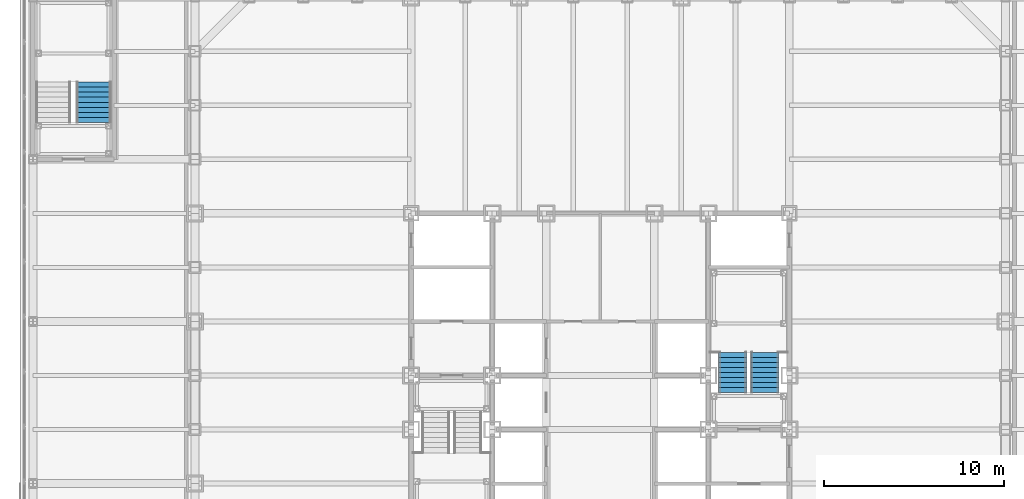
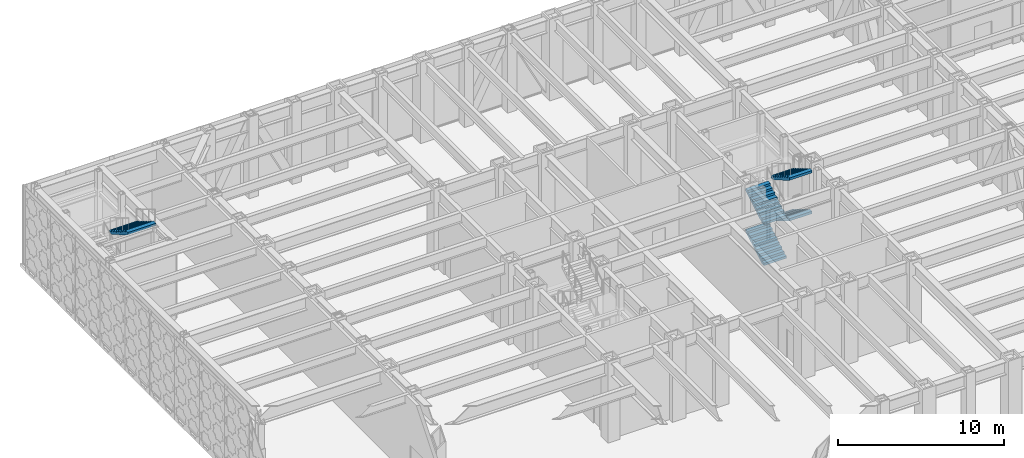
# One storey, part 21 of 32: 5 stair flights, 2 elements without a shape of their own.
"""IFC4 building model written with IfcOpenShell, lengths in metres."""

from ifc_helpers import new_model, si_unit, direction, frame, origin, place, context, subcontext, project, spatial, faceted_brep, material, type_object, element, aggregate, save


model = new_model("IFC4")

# Units and contexts
model_context = context("Model", 3, precision=1e-05, world=origin(), true_north=direction((0.0, 1.0)))
body_context = subcontext(model_context, "Body", "Model", "MODEL_VIEW")
ifc_project = project(units=[si_unit("LENGTHUNIT", "METRE"), si_unit("AREAUNIT", "SQUARE_METRE"), si_unit("VOLUMEUNIT", "CUBIC_METRE"), si_unit("PLANEANGLEUNIT", "RADIAN"), si_unit("MASSUNIT", "GRAM", prefix="KILO")], contexts=[model_context])

# Site, building, storey
site_placement = place(None, origin())
site = spatial("IfcSite", under=ifc_project, at=site_placement, CompositionType="ELEMENT")
building_placement = place(site_placement, origin())
building = spatial("IfcBuilding", under=site, at=building_placement, Name="Chuquiago Exchange Tower", CompositionType="ELEMENT")
storey_placement = place(building_placement, frame((0.0, 0.0, 13.5)))
storey = spatial("IfcBuildingStorey", under=building, at=storey_placement, Name="L02", CompositionType="ELEMENT", Elevation=13.5)

# Stair, stair flights
ifc_material_1 = material(Name="Concrete C30/37, precast", Category="concrete")
stair_type_1 = type_object("IfcStairType", Name="ST2 double half-turn stair 6000", PredefinedType="DOUBLE_RETURN_STAIR", material=ifc_material_1)
stair_1_placement = place(storey_placement, origin())
stair_1 = element("IfcStair", 1, at=stair_1_placement, inside=storey, type_object=stair_type_1, Name="Stair ST2 L02", PredefinedType="DOUBLE_RETURN_STAIR")
ifc_material_2 = material(Name="Concrete C30/37, precast", Category="concrete")
stair_flight_type_1 = type_object("IfcStairFlightType", Name="ST-F flight 1570 for 6000 storey", PredefinedType="STRAIGHT", material=ifc_material_2)
stair_flight_1_placement = place(storey_placement, frame((29.860107421875, 23.050048828125, 0.0), z_axis=(0.0, 0.0, 1.0), x_axis=(0.0, 1.0, 0.0)))
stair_flight_1 = element("IfcStairFlight", 2, at=stair_flight_1_placement, type_object=stair_flight_type_1, Name="ST2 flight 1", NumberOfRisers=9, NumberOfTreads=8, PredefinedType="STRAIGHT", RiserHeight=0.166666667, TreadLength=0.28, context=body_context, shape_type="Brep", body=[
    faceted_brep([(0.0, 0.78515625, 0.0), (0.0, 0.78515625, 0.166748046875), (0.280029296875, 0.78515625, 0.166748046875), (0.280029296875, 0.78515625, 0.333251953125), (0.56005859375, 0.78515625, 0.333251953125), (0.56005859375, 0.78515625, 0.5), (0.840087890625, 0.78515625, 0.5), (0.840087890625, 0.78515625, 0.666748046875), (1.1201171875, 0.78515625, 0.666748046875), (1.1201171875, 0.78515625, 0.833251953125), (1.39990234375, 0.78515625, 0.833251953125), (1.39990234375, 0.78515625, 1.0), (1.679931640625, 0.78515625, 1.0), (1.679931640625, 0.78515625, 1.166748046875), (1.9599609375, 0.78515625, 1.166748046875), (1.9599609375, 0.78515625, 1.333251953125), (2.239990234375, 0.78515625, 1.333251953125), (2.239990234375, 0.78515625, 1.158935546875), (0.29296875, 0.78515625, 0.0), (0.29296875, -0.78515625, 0.0), (2.239990234375, -0.78515625, 1.158935546875), (2.239990234375, -0.78515625, 1.333251953125), (1.9599609375, -0.78515625, 1.333251953125), (1.9599609375, -0.78515625, 1.166748046875), (1.679931640625, -0.78515625, 1.166748046875), (1.679931640625, -0.78515625, 1.0), (1.39990234375, -0.78515625, 1.0), (1.39990234375, -0.78515625, 0.833251953125), (1.1201171875, -0.78515625, 0.833251953125), (1.1201171875, -0.78515625, 0.666748046875), (0.840087890625, -0.78515625, 0.666748046875), (0.840087890625, -0.78515625, 0.5), (0.56005859375, -0.78515625, 0.5), (0.56005859375, -0.78515625, 0.333251953125), (0.280029296875, -0.78515625, 0.333251953125), (0.280029296875, -0.78515625, 0.166748046875), (0.0, -0.78515625, 0.166748046875), (0.0, -0.78515625, 0.0), (0.0, 0.392578125, 0.0), (0.0, 0.392578125, 0.166748046875), (0.0, 0.0, 0.0), (0.0, 0.0, 0.166748046875), (0.0, -0.392578125, 0.0), (0.0, -0.392578125, 0.166748046875), (0.280029296875, 0.392578125, 0.166748046875), (0.280029296875, 0.0, 0.166748046875), (0.280029296875, -0.392578125, 0.166748046875), (0.280029296875, 0.392578125, 0.333251953125), (0.280029296875, 0.0, 0.333251953125), (0.280029296875, -0.392578125, 0.333251953125), (0.56005859375, 0.392578125, 0.333251953125), (0.56005859375, 0.0, 0.333251953125), (0.56005859375, -0.392578125, 0.333251953125), (0.56005859375, 0.392578125, 0.5), (0.56005859375, 0.0, 0.5), (0.56005859375, -0.392578125, 0.5), (0.840087890625, 0.392578125, 0.5), (0.840087890625, 0.0, 0.5), (0.840087890625, -0.392578125, 0.5), (0.840087890625, 0.392578125, 0.666748046875), (0.840087890625, 0.0, 0.666748046875), (0.840087890625, -0.392578125, 0.666748046875), (1.1201171875, 0.392578125, 0.666748046875), (1.1201171875, 0.0, 0.666748046875), (1.1201171875, -0.392578125, 0.666748046875), (1.1201171875, 0.392578125, 0.833251953125), (1.1201171875, 0.0, 0.833251953125), (1.1201171875, -0.392578125, 0.833251953125), (1.39990234375, 0.392578125, 0.833251953125), (1.39990234375, 0.0, 0.833251953125), (1.39990234375, -0.392578125, 0.833251953125), (1.39990234375, 0.392578125, 1.0), (1.39990234375, 0.0, 1.0), (1.39990234375, -0.392578125, 1.0), (1.679931640625, 0.392578125, 1.0), (1.679931640625, 0.0, 1.0), (1.679931640625, -0.392578125, 1.0), (1.679931640625, 0.392578125, 1.166748046875), (1.679931640625, 0.0, 1.166748046875), (1.679931640625, -0.392578125, 1.166748046875), (1.9599609375, 0.392578125, 1.166748046875), (1.9599609375, 0.0, 1.166748046875), (1.9599609375, -0.392578125, 1.166748046875), (1.9599609375, 0.392578125, 1.333251953125), (1.9599609375, 0.0, 1.333251953125), (1.9599609375, -0.392578125, 1.333251953125), (2.239990234375, 0.392578125, 1.333251953125), (2.239990234375, 0.0, 1.333251953125), (2.239990234375, -0.392578125, 1.333251953125), (2.239990234375, 0.392578125, 1.158935546875), (2.239990234375, 0.0, 1.158935546875), (2.239990234375, -0.392578125, 1.158935546875), (0.29296875, 0.392578125, 0.0), (0.29296875, 0.0, 0.0), (0.29296875, -0.392578125, 0.0)], [[[0, 1, 2, 3, 4, 5, 6, 7, 8, 9, 10, 11, 12, 13, 14, 15, 16, 17, 18]], [[19, 20, 21, 22, 23, 24, 25, 26, 27, 28, 29, 30, 31, 32, 33, 34, 35, 36, 37]], [[1, 0, 38, 39]], [[39, 38, 40, 41]], [[41, 40, 42, 43]], [[43, 42, 37, 36]], [[2, 1, 39, 44]], [[44, 39, 41, 45]], [[45, 41, 43, 46]], [[46, 43, 36, 35]], [[3, 2, 44, 47]], [[47, 44, 45, 48]], [[48, 45, 46, 49]], [[49, 46, 35, 34]], [[4, 3, 47, 50]], [[50, 47, 48, 51]], [[51, 48, 49, 52]], [[52, 49, 34, 33]], [[5, 4, 50, 53]], [[53, 50, 51, 54]], [[54, 51, 52, 55]], [[55, 52, 33, 32]], [[6, 5, 53, 56]], [[56, 53, 54, 57]], [[57, 54, 55, 58]], [[58, 55, 32, 31]], [[7, 6, 56, 59]], [[59, 56, 57, 60]], [[60, 57, 58, 61]], [[61, 58, 31, 30]], [[8, 7, 59, 62]], [[62, 59, 60, 63]], [[63, 60, 61, 64]], [[64, 61, 30, 29]], [[9, 8, 62, 65]], [[65, 62, 63, 66]], [[66, 63, 64, 67]], [[67, 64, 29, 28]], [[10, 9, 65, 68]], [[68, 65, 66, 69]], [[69, 66, 67, 70]], [[70, 67, 28, 27]], [[11, 10, 68, 71]], [[71, 68, 69, 72]], [[72, 69, 70, 73]], [[73, 70, 27, 26]], [[12, 11, 71, 74]], [[74, 71, 72, 75]], [[75, 72, 73, 76]], [[76, 73, 26, 25]], [[13, 12, 74, 77]], [[77, 74, 75, 78]], [[78, 75, 76, 79]], [[79, 76, 25, 24]], [[14, 13, 77, 80]], [[80, 77, 78, 81]], [[81, 78, 79, 82]], [[82, 79, 24, 23]], [[15, 14, 80, 83]], [[83, 80, 81, 84]], [[84, 81, 82, 85]], [[85, 82, 23, 22]], [[16, 15, 83, 86]], [[86, 83, 84, 87]], [[87, 84, 85, 88]], [[88, 85, 22, 21]], [[17, 16, 86, 89]], [[89, 86, 87, 90]], [[90, 87, 88, 91]], [[91, 88, 21, 20]], [[18, 17, 89, 92]], [[92, 89, 90, 93]], [[93, 90, 91, 94]], [[94, 91, 20, 19]], [[0, 18, 92, 38]], [[38, 92, 93, 40]], [[40, 93, 94, 42]], [[42, 94, 19, 37]]]),
])
stair_flight_2_placement = place(storey_placement, frame((31.639892578125, 25.2900390625, 1.5), z_axis=(0.0, 0.0, 1.0), x_axis=(0.0, -1.0, 0.0)))
stair_flight_2 = element("IfcStairFlight", 3, at=stair_flight_2_placement, type_object=stair_flight_type_1, Name="ST2 flight 2", NumberOfRisers=9, NumberOfTreads=8, PredefinedType="STRAIGHT", RiserHeight=0.166666667, TreadLength=0.28, context=body_context, shape_type="Brep", body=[
    faceted_brep([(0.0, 0.78515625, 0.0), (0.0, 0.78515625, 0.166748046875), (0.280029296875, 0.78515625, 0.166748046875), (0.280029296875, 0.78515625, 0.333251953125), (0.56005859375, 0.78515625, 0.333251953125), (0.56005859375, 0.78515625, 0.5), (0.840087890625, 0.78515625, 0.5), (0.840087890625, 0.78515625, 0.666748046875), (1.1201171875, 0.78515625, 0.666748046875), (1.1201171875, 0.78515625, 0.833251953125), (1.39990234375, 0.78515625, 0.833251953125), (1.39990234375, 0.78515625, 1.0), (1.679931640625, 0.78515625, 1.0), (1.679931640625, 0.78515625, 1.166748046875), (1.9599609375, 0.78515625, 1.166748046875), (1.9599609375, 0.78515625, 1.333251953125), (2.239990234375, 0.78515625, 1.333251953125), (2.239990234375, 0.78515625, 1.158935546875), (0.29296875, 0.78515625, 0.0), (0.29296875, -0.78515625, 0.0), (2.239990234375, -0.78515625, 1.158935546875), (2.239990234375, -0.78515625, 1.333251953125), (1.9599609375, -0.78515625, 1.333251953125), (1.9599609375, -0.78515625, 1.166748046875), (1.679931640625, -0.78515625, 1.166748046875), (1.679931640625, -0.78515625, 1.0), (1.39990234375, -0.78515625, 1.0), (1.39990234375, -0.78515625, 0.833251953125), (1.1201171875, -0.78515625, 0.833251953125), (1.1201171875, -0.78515625, 0.666748046875), (0.840087890625, -0.78515625, 0.666748046875), (0.840087890625, -0.78515625, 0.5), (0.56005859375, -0.78515625, 0.5), (0.56005859375, -0.78515625, 0.333251953125), (0.280029296875, -0.78515625, 0.333251953125), (0.280029296875, -0.78515625, 0.166748046875), (0.0, -0.78515625, 0.166748046875), (0.0, -0.78515625, 0.0), (0.0, 0.392578125, 0.0), (0.0, 0.392578125, 0.166748046875), (0.0, 0.0, 0.0), (0.0, 0.0, 0.166748046875), (0.0, -0.392578125, 0.0), (0.0, -0.392578125, 0.166748046875), (0.280029296875, 0.392578125, 0.166748046875), (0.280029296875, 0.0, 0.166748046875), (0.280029296875, -0.392578125, 0.166748046875), (0.280029296875, 0.392578125, 0.333251953125), (0.280029296875, 0.0, 0.333251953125), (0.280029296875, -0.392578125, 0.333251953125), (0.56005859375, 0.392578125, 0.333251953125), (0.56005859375, 0.0, 0.333251953125), (0.56005859375, -0.392578125, 0.333251953125), (0.56005859375, 0.392578125, 0.5), (0.56005859375, 0.0, 0.5), (0.56005859375, -0.392578125, 0.5), (0.840087890625, 0.392578125, 0.5), (0.840087890625, 0.0, 0.5), (0.840087890625, -0.392578125, 0.5), (0.840087890625, 0.392578125, 0.666748046875), (0.840087890625, 0.0, 0.666748046875), (0.840087890625, -0.392578125, 0.666748046875), (1.1201171875, 0.392578125, 0.666748046875), (1.1201171875, 0.0, 0.666748046875), (1.1201171875, -0.392578125, 0.666748046875), (1.1201171875, 0.392578125, 0.833251953125), (1.1201171875, 0.0, 0.833251953125), (1.1201171875, -0.392578125, 0.833251953125), (1.39990234375, 0.392578125, 0.833251953125), (1.39990234375, 0.0, 0.833251953125), (1.39990234375, -0.392578125, 0.833251953125), (1.39990234375, 0.392578125, 1.0), (1.39990234375, 0.0, 1.0), (1.39990234375, -0.392578125, 1.0), (1.679931640625, 0.392578125, 1.0), (1.679931640625, 0.0, 1.0), (1.679931640625, -0.392578125, 1.0), (1.679931640625, 0.392578125, 1.166748046875), (1.679931640625, 0.0, 1.166748046875), (1.679931640625, -0.392578125, 1.166748046875), (1.9599609375, 0.392578125, 1.166748046875), (1.9599609375, 0.0, 1.166748046875), (1.9599609375, -0.392578125, 1.166748046875), (1.9599609375, 0.392578125, 1.333251953125), (1.9599609375, 0.0, 1.333251953125), (1.9599609375, -0.392578125, 1.333251953125), (2.239990234375, 0.392578125, 1.333251953125), (2.239990234375, 0.0, 1.333251953125), (2.239990234375, -0.392578125, 1.333251953125), (2.239990234375, 0.392578125, 1.158935546875), (2.239990234375, 0.0, 1.158935546875), (2.239990234375, -0.392578125, 1.158935546875), (0.29296875, 0.392578125, 0.0), (0.29296875, 0.0, 0.0), (0.29296875, -0.392578125, 0.0)], [[[0, 1, 2, 3, 4, 5, 6, 7, 8, 9, 10, 11, 12, 13, 14, 15, 16, 17, 18]], [[19, 20, 21, 22, 23, 24, 25, 26, 27, 28, 29, 30, 31, 32, 33, 34, 35, 36, 37]], [[1, 0, 38, 39]], [[39, 38, 40, 41]], [[41, 40, 42, 43]], [[43, 42, 37, 36]], [[2, 1, 39, 44]], [[44, 39, 41, 45]], [[45, 41, 43, 46]], [[46, 43, 36, 35]], [[3, 2, 44, 47]], [[47, 44, 45, 48]], [[48, 45, 46, 49]], [[49, 46, 35, 34]], [[4, 3, 47, 50]], [[50, 47, 48, 51]], [[51, 48, 49, 52]], [[52, 49, 34, 33]], [[5, 4, 50, 53]], [[53, 50, 51, 54]], [[54, 51, 52, 55]], [[55, 52, 33, 32]], [[6, 5, 53, 56]], [[56, 53, 54, 57]], [[57, 54, 55, 58]], [[58, 55, 32, 31]], [[7, 6, 56, 59]], [[59, 56, 57, 60]], [[60, 57, 58, 61]], [[61, 58, 31, 30]], [[8, 7, 59, 62]], [[62, 59, 60, 63]], [[63, 60, 61, 64]], [[64, 61, 30, 29]], [[9, 8, 62, 65]], [[65, 62, 63, 66]], [[66, 63, 64, 67]], [[67, 64, 29, 28]], [[10, 9, 65, 68]], [[68, 65, 66, 69]], [[69, 66, 67, 70]], [[70, 67, 28, 27]], [[11, 10, 68, 71]], [[71, 68, 69, 72]], [[72, 69, 70, 73]], [[73, 70, 27, 26]], [[12, 11, 71, 74]], [[74, 71, 72, 75]], [[75, 72, 73, 76]], [[76, 73, 26, 25]], [[13, 12, 74, 77]], [[77, 74, 75, 78]], [[78, 75, 76, 79]], [[79, 76, 25, 24]], [[14, 13, 77, 80]], [[80, 77, 78, 81]], [[81, 78, 79, 82]], [[82, 79, 24, 23]], [[15, 14, 80, 83]], [[83, 80, 81, 84]], [[84, 81, 82, 85]], [[85, 82, 23, 22]], [[16, 15, 83, 86]], [[86, 83, 84, 87]], [[87, 84, 85, 88]], [[88, 85, 22, 21]], [[17, 16, 86, 89]], [[89, 86, 87, 90]], [[90, 87, 88, 91]], [[91, 88, 21, 20]], [[18, 17, 89, 92]], [[92, 89, 90, 93]], [[93, 90, 91, 94]], [[94, 91, 20, 19]], [[0, 18, 92, 38]], [[38, 92, 93, 40]], [[40, 93, 94, 42]], [[42, 94, 19, 37]]]),
])
stair_flight_3_placement = place(storey_placement, frame((29.860107421875, 23.050048828125, 3.0), z_axis=(0.0, 0.0, 1.0), x_axis=(0.0, 1.0, 0.0)))
stair_flight_3 = element("IfcStairFlight", 4, at=stair_flight_3_placement, type_object=stair_flight_type_1, Name="ST2 flight 3", NumberOfRisers=9, NumberOfTreads=8, PredefinedType="STRAIGHT", RiserHeight=0.166666667, TreadLength=0.28, context=body_context, shape_type="Brep", body=[
    faceted_brep([(0.0, 0.78515625, 0.0), (0.0, 0.78515625, 0.166748046875), (0.280029296875, 0.78515625, 0.166748046875), (0.280029296875, 0.78515625, 0.333251953125), (0.56005859375, 0.78515625, 0.333251953125), (0.56005859375, 0.78515625, 0.5), (0.840087890625, 0.78515625, 0.5), (0.840087890625, 0.78515625, 0.666748046875), (1.1201171875, 0.78515625, 0.666748046875), (1.1201171875, 0.78515625, 0.833251953125), (1.39990234375, 0.78515625, 0.833251953125), (1.39990234375, 0.78515625, 1.0), (1.679931640625, 0.78515625, 1.0), (1.679931640625, 0.78515625, 1.166748046875), (1.9599609375, 0.78515625, 1.166748046875), (1.9599609375, 0.78515625, 1.333251953125), (2.239990234375, 0.78515625, 1.333251953125), (2.239990234375, 0.78515625, 1.158935546875), (0.29296875, 0.78515625, 0.0), (0.29296875, -0.78515625, 0.0), (2.239990234375, -0.78515625, 1.158935546875), (2.239990234375, -0.78515625, 1.333251953125), (1.9599609375, -0.78515625, 1.333251953125), (1.9599609375, -0.78515625, 1.166748046875), (1.679931640625, -0.78515625, 1.166748046875), (1.679931640625, -0.78515625, 1.0), (1.39990234375, -0.78515625, 1.0), (1.39990234375, -0.78515625, 0.833251953125), (1.1201171875, -0.78515625, 0.833251953125), (1.1201171875, -0.78515625, 0.666748046875), (0.840087890625, -0.78515625, 0.666748046875), (0.840087890625, -0.78515625, 0.5), (0.56005859375, -0.78515625, 0.5), (0.56005859375, -0.78515625, 0.333251953125), (0.280029296875, -0.78515625, 0.333251953125), (0.280029296875, -0.78515625, 0.166748046875), (0.0, -0.78515625, 0.166748046875), (0.0, -0.78515625, 0.0), (0.0, 0.392578125, 0.0), (0.0, 0.392578125, 0.166748046875), (0.0, 0.0, 0.0), (0.0, 0.0, 0.166748046875), (0.0, -0.392578125, 0.0), (0.0, -0.392578125, 0.166748046875), (0.280029296875, 0.392578125, 0.166748046875), (0.280029296875, 0.0, 0.166748046875), (0.280029296875, -0.392578125, 0.166748046875), (0.280029296875, 0.392578125, 0.333251953125), (0.280029296875, 0.0, 0.333251953125), (0.280029296875, -0.392578125, 0.333251953125), (0.56005859375, 0.392578125, 0.333251953125), (0.56005859375, 0.0, 0.333251953125), (0.56005859375, -0.392578125, 0.333251953125), (0.56005859375, 0.392578125, 0.5), (0.56005859375, 0.0, 0.5), (0.56005859375, -0.392578125, 0.5), (0.840087890625, 0.392578125, 0.5), (0.840087890625, 0.0, 0.5), (0.840087890625, -0.392578125, 0.5), (0.840087890625, 0.392578125, 0.666748046875), (0.840087890625, 0.0, 0.666748046875), (0.840087890625, -0.392578125, 0.666748046875), (1.1201171875, 0.392578125, 0.666748046875), (1.1201171875, 0.0, 0.666748046875), (1.1201171875, -0.392578125, 0.666748046875), (1.1201171875, 0.392578125, 0.833251953125), (1.1201171875, 0.0, 0.833251953125), (1.1201171875, -0.392578125, 0.833251953125), (1.39990234375, 0.392578125, 0.833251953125), (1.39990234375, 0.0, 0.833251953125), (1.39990234375, -0.392578125, 0.833251953125), (1.39990234375, 0.392578125, 1.0), (1.39990234375, 0.0, 1.0), (1.39990234375, -0.392578125, 1.0), (1.679931640625, 0.392578125, 1.0), (1.679931640625, 0.0, 1.0), (1.679931640625, -0.392578125, 1.0), (1.679931640625, 0.392578125, 1.166748046875), (1.679931640625, 0.0, 1.166748046875), (1.679931640625, -0.392578125, 1.166748046875), (1.9599609375, 0.392578125, 1.166748046875), (1.9599609375, 0.0, 1.166748046875), (1.9599609375, -0.392578125, 1.166748046875), (1.9599609375, 0.392578125, 1.333251953125), (1.9599609375, 0.0, 1.333251953125), (1.9599609375, -0.392578125, 1.333251953125), (2.239990234375, 0.392578125, 1.333251953125), (2.239990234375, 0.0, 1.333251953125), (2.239990234375, -0.392578125, 1.333251953125), (2.239990234375, 0.392578125, 1.158935546875), (2.239990234375, 0.0, 1.158935546875), (2.239990234375, -0.392578125, 1.158935546875), (0.29296875, 0.392578125, 0.0), (0.29296875, 0.0, 0.0), (0.29296875, -0.392578125, 0.0)], [[[0, 1, 2, 3, 4, 5, 6, 7, 8, 9, 10, 11, 12, 13, 14, 15, 16, 17, 18]], [[19, 20, 21, 22, 23, 24, 25, 26, 27, 28, 29, 30, 31, 32, 33, 34, 35, 36, 37]], [[1, 0, 38, 39]], [[39, 38, 40, 41]], [[41, 40, 42, 43]], [[43, 42, 37, 36]], [[2, 1, 39, 44]], [[44, 39, 41, 45]], [[45, 41, 43, 46]], [[46, 43, 36, 35]], [[3, 2, 44, 47]], [[47, 44, 45, 48]], [[48, 45, 46, 49]], [[49, 46, 35, 34]], [[4, 3, 47, 50]], [[50, 47, 48, 51]], [[51, 48, 49, 52]], [[52, 49, 34, 33]], [[5, 4, 50, 53]], [[53, 50, 51, 54]], [[54, 51, 52, 55]], [[55, 52, 33, 32]], [[6, 5, 53, 56]], [[56, 53, 54, 57]], [[57, 54, 55, 58]], [[58, 55, 32, 31]], [[7, 6, 56, 59]], [[59, 56, 57, 60]], [[60, 57, 58, 61]], [[61, 58, 31, 30]], [[8, 7, 59, 62]], [[62, 59, 60, 63]], [[63, 60, 61, 64]], [[64, 61, 30, 29]], [[9, 8, 62, 65]], [[65, 62, 63, 66]], [[66, 63, 64, 67]], [[67, 64, 29, 28]], [[10, 9, 65, 68]], [[68, 65, 66, 69]], [[69, 66, 67, 70]], [[70, 67, 28, 27]], [[11, 10, 68, 71]], [[71, 68, 69, 72]], [[72, 69, 70, 73]], [[73, 70, 27, 26]], [[12, 11, 71, 74]], [[74, 71, 72, 75]], [[75, 72, 73, 76]], [[76, 73, 26, 25]], [[13, 12, 74, 77]], [[77, 74, 75, 78]], [[78, 75, 76, 79]], [[79, 76, 25, 24]], [[14, 13, 77, 80]], [[80, 77, 78, 81]], [[81, 78, 79, 82]], [[82, 79, 24, 23]], [[15, 14, 80, 83]], [[83, 80, 81, 84]], [[84, 81, 82, 85]], [[85, 82, 23, 22]], [[16, 15, 83, 86]], [[86, 83, 84, 87]], [[87, 84, 85, 88]], [[88, 85, 22, 21]], [[17, 16, 86, 89]], [[89, 86, 87, 90]], [[90, 87, 88, 91]], [[91, 88, 21, 20]], [[18, 17, 89, 92]], [[92, 89, 90, 93]], [[93, 90, 91, 94]], [[94, 91, 20, 19]], [[0, 18, 92, 38]], [[38, 92, 93, 40]], [[40, 93, 94, 42]], [[42, 94, 19, 37]]]),
])
stair_flight_4_placement = place(storey_placement, frame((31.639892578125, 25.2900390625, 4.5), z_axis=(0.0, 0.0, 1.0), x_axis=(0.0, -1.0, 0.0)))
stair_flight_4 = element("IfcStairFlight", 5, at=stair_flight_4_placement, type_object=stair_flight_type_1, Name="ST2 flight 4", NumberOfRisers=9, NumberOfTreads=8, PredefinedType="STRAIGHT", RiserHeight=0.166666667, TreadLength=0.28, context=body_context, shape_type="Brep", body=[
    faceted_brep([(0.0, 0.78515625, 0.0), (0.0, 0.78515625, 0.166748046875), (0.280029296875, 0.78515625, 0.166748046875), (0.280029296875, 0.78515625, 0.333251953125), (0.56005859375, 0.78515625, 0.333251953125), (0.56005859375, 0.78515625, 0.5), (0.840087890625, 0.78515625, 0.5), (0.840087890625, 0.78515625, 0.666748046875), (1.1201171875, 0.78515625, 0.666748046875), (1.1201171875, 0.78515625, 0.833251953125), (1.39990234375, 0.78515625, 0.833251953125), (1.39990234375, 0.78515625, 1.0), (1.679931640625, 0.78515625, 1.0), (1.679931640625, 0.78515625, 1.166748046875), (1.9599609375, 0.78515625, 1.166748046875), (1.9599609375, 0.78515625, 1.333251953125), (2.239990234375, 0.78515625, 1.333251953125), (2.239990234375, 0.78515625, 1.158935546875), (0.29296875, 0.78515625, 0.0), (0.29296875, -0.78515625, 0.0), (2.239990234375, -0.78515625, 1.158935546875), (2.239990234375, -0.78515625, 1.333251953125), (1.9599609375, -0.78515625, 1.333251953125), (1.9599609375, -0.78515625, 1.166748046875), (1.679931640625, -0.78515625, 1.166748046875), (1.679931640625, -0.78515625, 1.0), (1.39990234375, -0.78515625, 1.0), (1.39990234375, -0.78515625, 0.833251953125), (1.1201171875, -0.78515625, 0.833251953125), (1.1201171875, -0.78515625, 0.666748046875), (0.840087890625, -0.78515625, 0.666748046875), (0.840087890625, -0.78515625, 0.5), (0.56005859375, -0.78515625, 0.5), (0.56005859375, -0.78515625, 0.333251953125), (0.280029296875, -0.78515625, 0.333251953125), (0.280029296875, -0.78515625, 0.166748046875), (0.0, -0.78515625, 0.166748046875), (0.0, -0.78515625, 0.0), (0.0, 0.392578125, 0.0), (0.0, 0.392578125, 0.166748046875), (0.0, 0.0, 0.0), (0.0, 0.0, 0.166748046875), (0.0, -0.392578125, 0.0), (0.0, -0.392578125, 0.166748046875), (0.280029296875, 0.392578125, 0.166748046875), (0.280029296875, 0.0, 0.166748046875), (0.280029296875, -0.392578125, 0.166748046875), (0.280029296875, 0.392578125, 0.333251953125), (0.280029296875, 0.0, 0.333251953125), (0.280029296875, -0.392578125, 0.333251953125), (0.56005859375, 0.392578125, 0.333251953125), (0.56005859375, 0.0, 0.333251953125), (0.56005859375, -0.392578125, 0.333251953125), (0.56005859375, 0.392578125, 0.5), (0.56005859375, 0.0, 0.5), (0.56005859375, -0.392578125, 0.5), (0.840087890625, 0.392578125, 0.5), (0.840087890625, 0.0, 0.5), (0.840087890625, -0.392578125, 0.5), (0.840087890625, 0.392578125, 0.666748046875), (0.840087890625, 0.0, 0.666748046875), (0.840087890625, -0.392578125, 0.666748046875), (1.1201171875, 0.392578125, 0.666748046875), (1.1201171875, 0.0, 0.666748046875), (1.1201171875, -0.392578125, 0.666748046875), (1.1201171875, 0.392578125, 0.833251953125), (1.1201171875, 0.0, 0.833251953125), (1.1201171875, -0.392578125, 0.833251953125), (1.39990234375, 0.392578125, 0.833251953125), (1.39990234375, 0.0, 0.833251953125), (1.39990234375, -0.392578125, 0.833251953125), (1.39990234375, 0.392578125, 1.0), (1.39990234375, 0.0, 1.0), (1.39990234375, -0.392578125, 1.0), (1.679931640625, 0.392578125, 1.0), (1.679931640625, 0.0, 1.0), (1.679931640625, -0.392578125, 1.0), (1.679931640625, 0.392578125, 1.166748046875), (1.679931640625, 0.0, 1.166748046875), (1.679931640625, -0.392578125, 1.166748046875), (1.9599609375, 0.392578125, 1.166748046875), (1.9599609375, 0.0, 1.166748046875), (1.9599609375, -0.392578125, 1.166748046875), (1.9599609375, 0.392578125, 1.333251953125), (1.9599609375, 0.0, 1.333251953125), (1.9599609375, -0.392578125, 1.333251953125), (2.239990234375, 0.392578125, 1.333251953125), (2.239990234375, 0.0, 1.333251953125), (2.239990234375, -0.392578125, 1.333251953125), (2.239990234375, 0.392578125, 1.158935546875), (2.239990234375, 0.0, 1.158935546875), (2.239990234375, -0.392578125, 1.158935546875), (0.29296875, 0.392578125, 0.0), (0.29296875, 0.0, 0.0), (0.29296875, -0.392578125, 0.0)], [[[0, 1, 2, 3, 4, 5, 6, 7, 8, 9, 10, 11, 12, 13, 14, 15, 16, 17, 18]], [[19, 20, 21, 22, 23, 24, 25, 26, 27, 28, 29, 30, 31, 32, 33, 34, 35, 36, 37]], [[1, 0, 38, 39]], [[39, 38, 40, 41]], [[41, 40, 42, 43]], [[43, 42, 37, 36]], [[2, 1, 39, 44]], [[44, 39, 41, 45]], [[45, 41, 43, 46]], [[46, 43, 36, 35]], [[3, 2, 44, 47]], [[47, 44, 45, 48]], [[48, 45, 46, 49]], [[49, 46, 35, 34]], [[4, 3, 47, 50]], [[50, 47, 48, 51]], [[51, 48, 49, 52]], [[52, 49, 34, 33]], [[5, 4, 50, 53]], [[53, 50, 51, 54]], [[54, 51, 52, 55]], [[55, 52, 33, 32]], [[6, 5, 53, 56]], [[56, 53, 54, 57]], [[57, 54, 55, 58]], [[58, 55, 32, 31]], [[7, 6, 56, 59]], [[59, 56, 57, 60]], [[60, 57, 58, 61]], [[61, 58, 31, 30]], [[8, 7, 59, 62]], [[62, 59, 60, 63]], [[63, 60, 61, 64]], [[64, 61, 30, 29]], [[9, 8, 62, 65]], [[65, 62, 63, 66]], [[66, 63, 64, 67]], [[67, 64, 29, 28]], [[10, 9, 65, 68]], [[68, 65, 66, 69]], [[69, 66, 67, 70]], [[70, 67, 28, 27]], [[11, 10, 68, 71]], [[71, 68, 69, 72]], [[72, 69, 70, 73]], [[73, 70, 27, 26]], [[12, 11, 71, 74]], [[74, 71, 72, 75]], [[75, 72, 73, 76]], [[76, 73, 26, 25]], [[13, 12, 74, 77]], [[77, 74, 75, 78]], [[78, 75, 76, 79]], [[79, 76, 25, 24]], [[14, 13, 77, 80]], [[80, 77, 78, 81]], [[81, 78, 79, 82]], [[82, 79, 24, 23]], [[15, 14, 80, 83]], [[83, 80, 81, 84]], [[84, 81, 82, 85]], [[85, 82, 23, 22]], [[16, 15, 83, 86]], [[86, 83, 84, 87]], [[87, 84, 85, 88]], [[88, 85, 22, 21]], [[17, 16, 86, 89]], [[89, 86, 87, 90]], [[90, 87, 88, 91]], [[91, 88, 21, 20]], [[18, 17, 89, 92]], [[92, 89, 90, 93]], [[93, 90, 91, 94]], [[94, 91, 20, 19]], [[0, 18, 92, 38]], [[38, 92, 93, 40]], [[40, 93, 94, 42]], [[42, 94, 19, 37]]]),
])
aggregate(stair_1, [stair_flight_1, stair_flight_2, stair_flight_3, stair_flight_4])

# Stair, stair flight
ifc_material_3 = material(Name="Concrete C30/37, precast", Category="concrete")
stair_type_2 = type_object("IfcStairType", Name="PS3 double half-turn stair 6000", PredefinedType="DOUBLE_RETURN_STAIR", material=ifc_material_3)
stair_2_placement = place(storey_placement, origin())
stair_2 = element("IfcStair", 6, at=stair_2_placement, inside=storey, type_object=stair_type_2, Name="Stair PS3 L02", PredefinedType="DOUBLE_RETURN_STAIR")
ifc_material_4 = material(Name="Concrete C30/37, precast", Category="concrete")
stair_flight_type_2 = type_object("IfcStairFlightType", Name="ST-F flight 1950 for 6000 storey", PredefinedType="STRAIGHT", material=ifc_material_4)
stair_flight_5_placement = place(storey_placement, frame((-5.625, 40.2900390625, 4.5), z_axis=(0.0, 0.0, 1.0), x_axis=(0.0, -1.0, 0.0)))
stair_flight_5 = element("IfcStairFlight", 7, at=stair_flight_5_placement, type_object=stair_flight_type_2, Name="PS3 flight 4", NumberOfRisers=9, NumberOfTreads=8, PredefinedType="STRAIGHT", RiserHeight=0.166666667, TreadLength=0.28, context=body_context, shape_type="Brep", body=[
    faceted_brep([(0.0, 0.97509765625, 0.0), (0.0, 0.97509765625, 0.166748046875), (0.280029296875, 0.97509765625, 0.166748046875), (0.280029296875, 0.97509765625, 0.333251953125), (0.56005859375, 0.97509765625, 0.333251953125), (0.56005859375, 0.97509765625, 0.5), (0.840087890625, 0.97509765625, 0.5), (0.840087890625, 0.97509765625, 0.666748046875), (1.1201171875, 0.97509765625, 0.666748046875), (1.1201171875, 0.97509765625, 0.833251953125), (1.39990234375, 0.97509765625, 0.833251953125), (1.39990234375, 0.97509765625, 1.0), (1.679931640625, 0.97509765625, 1.0), (1.679931640625, 0.97509765625, 1.166748046875), (1.9599609375, 0.97509765625, 1.166748046875), (1.9599609375, 0.97509765625, 1.333251953125), (2.239990234375, 0.97509765625, 1.333251953125), (2.239990234375, 0.97509765625, 1.158935546875), (0.29296875, 0.97509765625, 0.0), (0.29296875, -0.97509765625, 0.0), (2.239990234375, -0.97509765625, 1.158935546875), (2.239990234375, -0.97509765625, 1.333251953125), (1.9599609375, -0.97509765625, 1.333251953125), (1.9599609375, -0.97509765625, 1.166748046875), (1.679931640625, -0.97509765625, 1.166748046875), (1.679931640625, -0.97509765625, 1.0), (1.39990234375, -0.97509765625, 1.0), (1.39990234375, -0.97509765625, 0.833251953125), (1.1201171875, -0.97509765625, 0.833251953125), (1.1201171875, -0.97509765625, 0.666748046875), (0.840087890625, -0.97509765625, 0.666748046875), (0.840087890625, -0.97509765625, 0.5), (0.56005859375, -0.97509765625, 0.5), (0.56005859375, -0.97509765625, 0.333251953125), (0.280029296875, -0.97509765625, 0.333251953125), (0.280029296875, -0.97509765625, 0.166748046875), (0.0, -0.97509765625, 0.166748046875), (0.0, -0.97509765625, 0.0), (0.0, 0.487548828125, 0.0), (0.0, 0.487548828125, 0.166748046875), (0.0, 0.0, 0.0), (0.0, 0.0, 0.166748046875), (0.0, -0.487548828125, 0.0), (0.0, -0.487548828125, 0.166748046875), (0.280029296875, 0.487548828125, 0.166748046875), (0.280029296875, 0.0, 0.166748046875), (0.280029296875, -0.487548828125, 0.166748046875), (0.280029296875, 0.487548828125, 0.333251953125), (0.280029296875, 0.0, 0.333251953125), (0.280029296875, -0.487548828125, 0.333251953125), (0.56005859375, 0.487548828125, 0.333251953125), (0.56005859375, 0.0, 0.333251953125), (0.56005859375, -0.487548828125, 0.333251953125), (0.56005859375, 0.487548828125, 0.5), (0.56005859375, 0.0, 0.5), (0.56005859375, -0.487548828125, 0.5), (0.840087890625, 0.487548828125, 0.5), (0.840087890625, 0.0, 0.5), (0.840087890625, -0.487548828125, 0.5), (0.840087890625, 0.487548828125, 0.666748046875), (0.840087890625, 0.0, 0.666748046875), (0.840087890625, -0.487548828125, 0.666748046875), (1.1201171875, 0.487548828125, 0.666748046875), (1.1201171875, 0.0, 0.666748046875), (1.1201171875, -0.487548828125, 0.666748046875), (1.1201171875, 0.487548828125, 0.833251953125), (1.1201171875, 0.0, 0.833251953125), (1.1201171875, -0.487548828125, 0.833251953125), (1.39990234375, 0.487548828125, 0.833251953125), (1.39990234375, 0.0, 0.833251953125), (1.39990234375, -0.487548828125, 0.833251953125), (1.39990234375, 0.487548828125, 1.0), (1.39990234375, 0.0, 1.0), (1.39990234375, -0.487548828125, 1.0), (1.679931640625, 0.487548828125, 1.0), (1.679931640625, 0.0, 1.0), (1.679931640625, -0.487548828125, 1.0), (1.679931640625, 0.487548828125, 1.166748046875), (1.679931640625, 0.0, 1.166748046875), (1.679931640625, -0.487548828125, 1.166748046875), (1.9599609375, 0.487548828125, 1.166748046875), (1.9599609375, 0.0, 1.166748046875), (1.9599609375, -0.487548828125, 1.166748046875), (1.9599609375, 0.487548828125, 1.333251953125), (1.9599609375, 0.0, 1.333251953125), (1.9599609375, -0.487548828125, 1.333251953125), (2.239990234375, 0.487548828125, 1.333251953125), (2.239990234375, 0.0, 1.333251953125), (2.239990234375, -0.487548828125, 1.333251953125), (2.239990234375, 0.487548828125, 1.158935546875), (2.239990234375, 0.0, 1.158935546875), (2.239990234375, -0.487548828125, 1.158935546875), (0.29296875, 0.487548828125, 0.0), (0.29296875, 0.0, 0.0), (0.29296875, -0.487548828125, 0.0)], [[[0, 1, 2, 3, 4, 5, 6, 7, 8, 9, 10, 11, 12, 13, 14, 15, 16, 17, 18]], [[19, 20, 21, 22, 23, 24, 25, 26, 27, 28, 29, 30, 31, 32, 33, 34, 35, 36, 37]], [[1, 0, 38, 39]], [[39, 38, 40, 41]], [[41, 40, 42, 43]], [[43, 42, 37, 36]], [[2, 1, 39, 44]], [[44, 39, 41, 45]], [[45, 41, 43, 46]], [[46, 43, 36, 35]], [[3, 2, 44, 47]], [[47, 44, 45, 48]], [[48, 45, 46, 49]], [[49, 46, 35, 34]], [[4, 3, 47, 50]], [[50, 47, 48, 51]], [[51, 48, 49, 52]], [[52, 49, 34, 33]], [[5, 4, 50, 53]], [[53, 50, 51, 54]], [[54, 51, 52, 55]], [[55, 52, 33, 32]], [[6, 5, 53, 56]], [[56, 53, 54, 57]], [[57, 54, 55, 58]], [[58, 55, 32, 31]], [[7, 6, 56, 59]], [[59, 56, 57, 60]], [[60, 57, 58, 61]], [[61, 58, 31, 30]], [[8, 7, 59, 62]], [[62, 59, 60, 63]], [[63, 60, 61, 64]], [[64, 61, 30, 29]], [[9, 8, 62, 65]], [[65, 62, 63, 66]], [[66, 63, 64, 67]], [[67, 64, 29, 28]], [[10, 9, 65, 68]], [[68, 65, 66, 69]], [[69, 66, 67, 70]], [[70, 67, 28, 27]], [[11, 10, 68, 71]], [[71, 68, 69, 72]], [[72, 69, 70, 73]], [[73, 70, 27, 26]], [[12, 11, 71, 74]], [[74, 71, 72, 75]], [[75, 72, 73, 76]], [[76, 73, 26, 25]], [[13, 12, 74, 77]], [[77, 74, 75, 78]], [[78, 75, 76, 79]], [[79, 76, 25, 24]], [[14, 13, 77, 80]], [[80, 77, 78, 81]], [[81, 78, 79, 82]], [[82, 79, 24, 23]], [[15, 14, 80, 83]], [[83, 80, 81, 84]], [[84, 81, 82, 85]], [[85, 82, 23, 22]], [[16, 15, 83, 86]], [[86, 83, 84, 87]], [[87, 84, 85, 88]], [[88, 85, 22, 21]], [[17, 16, 86, 89]], [[89, 86, 87, 90]], [[90, 87, 88, 91]], [[91, 88, 21, 20]], [[18, 17, 89, 92]], [[92, 89, 90, 93]], [[93, 90, 91, 94]], [[94, 91, 20, 19]], [[0, 18, 92, 38]], [[38, 92, 93, 40]], [[40, 93, 94, 42]], [[42, 94, 19, 37]]]),
])
aggregate(stair_2, [stair_flight_5])

save(model, "model.ifc")
